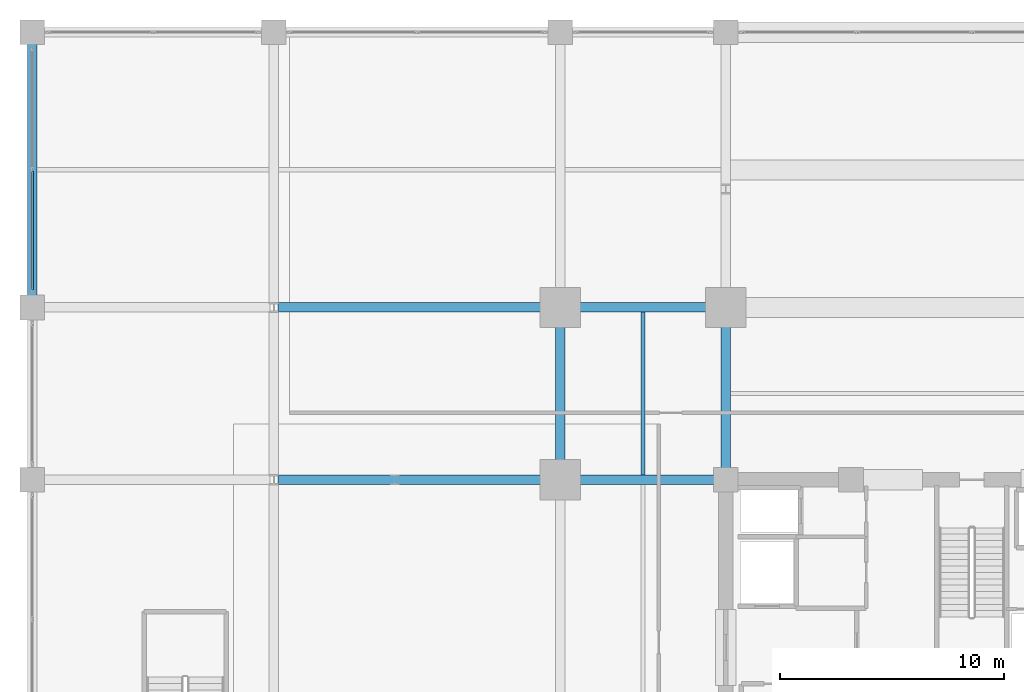
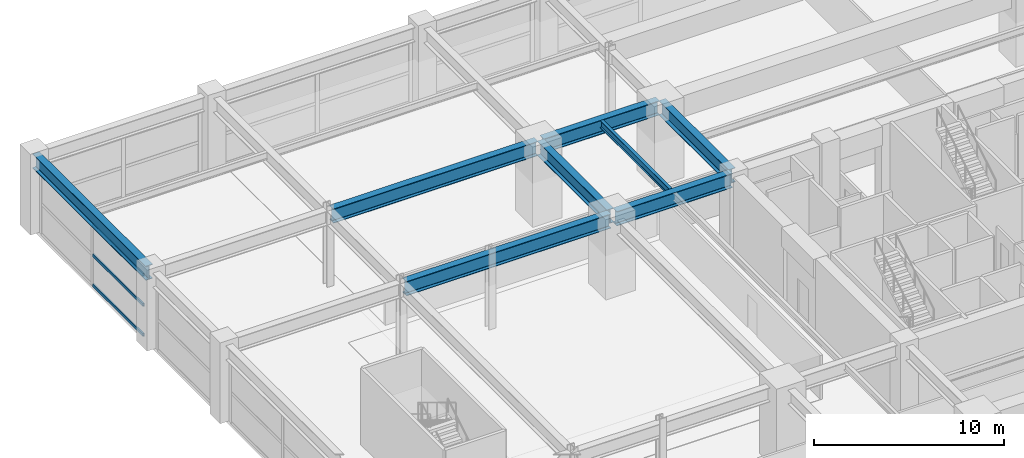
# One storey, part 14 of 45: 8 beams, 3 members, 1 element without a shape of its own.
"""IFC4 building model written with IfcOpenShell, lengths in metres."""

from ifc_helpers import new_model, si_unit, direction, frame, origin, origin_2d, place, context, subcontext, project, spatial, hollow_rectangle, i_section, extrude, material, material_profile, profile_set, type_object, element, aggregate, save


model = new_model("IFC4")

# Units and contexts
model_context = context("Model", 3, precision=1e-05, world=origin(), true_north=direction((0.0, 1.0)))
body_context = subcontext(model_context, "Body", "Model", "MODEL_VIEW")
ifc_project = project(units=[si_unit("LENGTHUNIT", "METRE"), si_unit("AREAUNIT", "SQUARE_METRE"), si_unit("VOLUMEUNIT", "CUBIC_METRE"), si_unit("PLANEANGLEUNIT", "RADIAN"), si_unit("MASSUNIT", "GRAM", prefix="KILO")], contexts=[model_context])

# Site, building, storey
site_placement = place(None, origin())
site = spatial("IfcSite", under=ifc_project, at=site_placement, CompositionType="ELEMENT")
building_placement = place(site_placement, origin())
building = spatial("IfcBuilding", under=site, at=building_placement, Name="Kovane Verandah Tower", CompositionType="ELEMENT")
storey_placement = place(building_placement, frame((0.0, 0.0, 6.0)))
storey = spatial("IfcBuildingStorey", under=building, at=storey_placement, Name="L01", CompositionType="ELEMENT", Elevation=6.0)

# Beams
ifc_material_1 = material(Name="Steel S460", Category="steel")
ifc_material_profile_1 = material_profile(ifc_material_1, i_section(OverallWidth=0.42041015625, OverallDepth=0.9208984375, WebThickness=0.021484375, FlangeThickness=0.03662109375, FilletRadius=0.024169921875, at=origin_2d()), Name="UB914x419x388")
ifc_profile_set_1 = profile_set([ifc_material_profile_1], Name="Steel S460")
beam_type_1 = type_object("IfcBeamType", Name="BM-UB914x388", PredefinedType="BEAM", material=ifc_profile_set_1)
beam_1_placement = place(storey_placement, frame((21.780029296875, 44.199951171875, 4.45947265625), z_axis=(1.0, 0.0, 0.0), x_axis=(0.0, 1.0, 0.0)))
element("IfcBeam", 1, at=beam_1_placement, inside=storey, type_object=beam_type_1, Name="L01 Primary Tower Girder G-RN1", PredefinedType="BEAM", context=body_context, shape_type="SweptSolid", body=[
    extrude(i_section(OverallWidth=0.42041015625, OverallDepth=0.9208984375, WebThickness=0.021484375, FlangeThickness=0.03662109375, FilletRadius=0.024169921875, at=origin_2d()), origin(), (0.0, 0.0, 1.0), 7.0400390625),
])
beam_2_placement = place(storey_placement, frame((21.60009765625, 36.679931640625, 4.45947265625), z_axis=(0.0, 1.0, 0.0), x_axis=(-1.0, 0.0, 0.0)))
element("IfcBeam", 2, at=beam_2_placement, inside=storey, type_object=beam_type_1, Name="L01 Primary Tower Girder G-RW3", PredefinedType="BEAM", context=body_context, shape_type="SweptSolid", body=[
    extrude(i_section(OverallWidth=0.42041015625, OverallDepth=0.9208984375, WebThickness=0.021484375, FlangeThickness=0.03662109375, FilletRadius=0.024169921875, at=origin_2d()), origin(), (0.0, 0.0, 1.0), 7.340087890625),
])
beam_3_placement = place(storey_placement, frame((28.820068359375, 36.5, 4.45947265625), z_axis=(-1.0, 0.0, 0.0), x_axis=(0.0, -1.0, 0.0)))
element("IfcBeam", 3, at=beam_3_placement, inside=storey, type_object=beam_type_1, Name="L01 Primary Tower Girder G-W2", PredefinedType="BEAM", context=body_context, shape_type="SweptSolid", body=[
    extrude(i_section(OverallWidth=0.42041015625, OverallDepth=0.9208984375, WebThickness=0.021484375, FlangeThickness=0.03662109375, FilletRadius=0.024169921875, at=origin_2d()), origin(), (0.0, 0.0, 1.0), 7.0400390625),
])
beam_4_placement = place(storey_placement, frame((29.0, 36.679931640625, 4.45947265625), z_axis=(0.0, 1.0, 0.0), x_axis=(-1.0, 0.0, 0.0)))
element("IfcBeam", 4, at=beam_4_placement, inside=storey, type_object=beam_type_1, Name="L01 Primary Tower Girder G-N1", PredefinedType="BEAM", context=body_context, shape_type="SweptSolid", body=[
    extrude(i_section(OverallWidth=0.42041015625, OverallDepth=0.9208984375, WebThickness=0.021484375, FlangeThickness=0.03662109375, FilletRadius=0.024169921875, at=origin_2d()), origin(), (0.0, 0.0, 1.0), 7.340087890625),
])
for number, where, z_axis, x_axis, name in (
    (5, (8.97998046875, 36.5, 4.439453125), (1.0, 0.0, 0.0), (0.0, 1.0, 0.0), "L01 Podium Grid Girder X10"),
    (6, (8.97998046875, 44.199951171875, 4.439453125), (1.0, 0.0, 0.0), (0.0, 1.0, 0.0), "L01 Podium Grid Girder X14"),
):
    element("IfcBeam", number, at=place(storey_placement, frame(where, z_axis=z_axis, x_axis=x_axis)), inside=storey, type_object=beam_type_1, Name=name, PredefinedType="BEAM", context=body_context, shape_type="SweptSolid", body=[
        extrude(i_section(OverallWidth=0.42041015625, OverallDepth=0.9208984375, WebThickness=0.021484375, FlangeThickness=0.03662109375, FilletRadius=0.024169921875, at=origin_2d()), origin(), (0.0, 0.0, 1.0), 12.43994140625),
    ])
beam_5_placement = place(storey_placement, frame((-2.0, 44.3798828125, 4.439453125), z_axis=(0.0, 1.0, 0.0), x_axis=(-1.0, 0.0, 0.0)))
element("IfcBeam", 7, at=beam_5_placement, inside=storey, type_object=beam_type_1, Name="L01 Podium Grid Girder Y27", PredefinedType="BEAM", context=body_context, shape_type="SweptSolid", body=[
    extrude(i_section(OverallWidth=0.42041015625, OverallDepth=0.9208984375, WebThickness=0.021484375, FlangeThickness=0.03662109375, FilletRadius=0.024169921875, at=origin_2d()), origin(), (0.0, 0.0, 1.0), 11.940185546875),
])

# Curtain wall, members
ifc_material_2 = material(Name="Champagne Anodised Aluminium Frame with Low-E Clear Laminated Glass", Category="aluminium")
curtain_wall_type = type_object("IfcCurtainWallType", Name="CW-SYS-01-POD", PredefinedType="NOTDEFINED", material=ifc_material_2)
curtain_wall_placement = place(storey_placement, origin())
curtain_wall = element("IfcCurtainWall", 8, at=curtain_wall_placement, inside=storey, type_object=curtain_wall_type, Name="L01 West Podium Curtain Wall Bay 5", PredefinedType="NOTDEFINED")
ifc_material_3 = material(Name="Champagne Anodised Aluminium 6063-T6", Category="aluminium")
ifc_material_profile_2 = material_profile(ifc_material_3, hollow_rectangle(XDim=0.0849609375, YDim=0.18994140625, WallThickness=0.00390625, at=origin_2d()), Name="AL85x190x4")
ifc_profile_set_2 = profile_set([ifc_material_profile_2], Name="Champagne Anodised Aluminium 6063-T6")
member_type = type_object("IfcMemberType", Name="CW-TRN-85x190", PredefinedType="USERDEFINED", material=ifc_profile_set_2)
member_1_placement = place(storey_placement, frame((-2.0, 50.300048828125, 0.050048828125), z_axis=(0.0, -1.0, 0.0), x_axis=(1.0, 0.0, 0.0)))
member_1 = element("IfcMember", 9, at=member_1_placement, type_object=member_type, Name="L01 West Podium Curtain Wall Bay 5 Transom TB Bay 2", ObjectType="TRANSOM", PredefinedType="USERDEFINED", context=body_context, shape_type="SweptSolid", body=[
    extrude(hollow_rectangle(XDim=0.0849609375, YDim=0.18994140625, WallThickness=0.00390625, at=origin_2d()), origin(), (0.0, 0.0, 1.0), 5.330078125),
])
member_2_placement = place(storey_placement, frame((-2.0, 50.300048828125, 1.9794921875), z_axis=(0.0, -1.0, 0.0), x_axis=(1.0, 0.0, 0.0)))
member_2 = element("IfcMember", 10, at=member_2_placement, type_object=member_type, Name="L01 West Podium Curtain Wall Bay 5 Transom TM Bay 2", ObjectType="TRANSOM", PredefinedType="USERDEFINED", context=body_context, shape_type="SweptSolid", body=[
    extrude(hollow_rectangle(XDim=0.0849609375, YDim=0.18994140625, WallThickness=0.00390625, at=origin_2d()), origin(), (0.0, 0.0, 1.0), 5.330078125),
])
member_3_placement = place(storey_placement, frame((-2.0, 50.300048828125, 3.908935546875), z_axis=(0.0, -1.0, 0.0), x_axis=(1.0, 0.0, 0.0)))
member_3 = element("IfcMember", 11, at=member_3_placement, type_object=member_type, Name="L01 West Podium Curtain Wall Bay 5 Transom TT Bay 2", ObjectType="TRANSOM", PredefinedType="USERDEFINED", context=body_context, shape_type="SweptSolid", body=[
    extrude(hollow_rectangle(XDim=0.0849609375, YDim=0.18994140625, WallThickness=0.00390625, at=origin_2d()), origin(), (0.0, 0.0, 1.0), 5.330078125),
])
aggregate(curtain_wall, [member_1, member_2, member_3])

# Beam
ifc_material_4 = material(Name="Steel S355", Category="steel")
ifc_material_profile_3 = material_profile(ifc_material_4, i_section(OverallWidth=0.19287109375, OverallDepth=0.46728515625, WebThickness=0.011474609375, FlangeThickness=0.01953125, FilletRadius=0.01025390625, at=origin_2d()), Name="UB457x191x98")
ifc_profile_set_3 = profile_set([ifc_material_profile_3], Name="Steel S355")
beam_type_2 = type_object("IfcBeamType", Name="JST-UB457x98", PredefinedType="JOIST", material=ifc_profile_set_3)
beam_6_placement = place(storey_placement, frame((25.300048828125, 36.708251953125, 4.686279296875), z_axis=(0.0, 1.0, 0.0), x_axis=(-1.0, 0.0, 0.0)))
element("IfcBeam", 12, at=beam_6_placement, inside=storey, type_object=beam_type_2, Name="L01 Secondary Composite Joist J-NW1", PredefinedType="JOIST", context=body_context, shape_type="SweptSolid", body=[
    extrude(i_section(OverallWidth=0.19287109375, OverallDepth=0.46728515625, WebThickness=0.011474609375, FlangeThickness=0.01953125, FilletRadius=0.01025390625, at=origin_2d()), origin(), (0.0, 0.0, 1.0), 7.283447265625),
])

save(model, "model.ifc")
